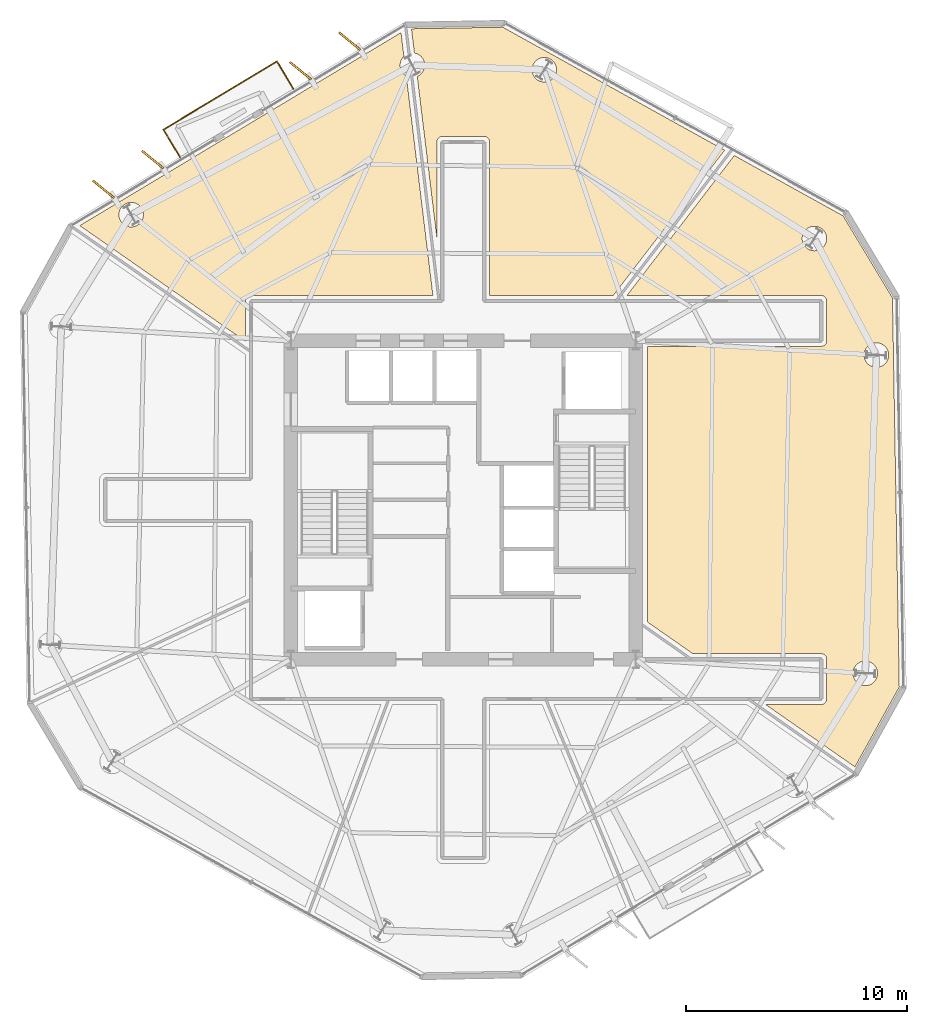
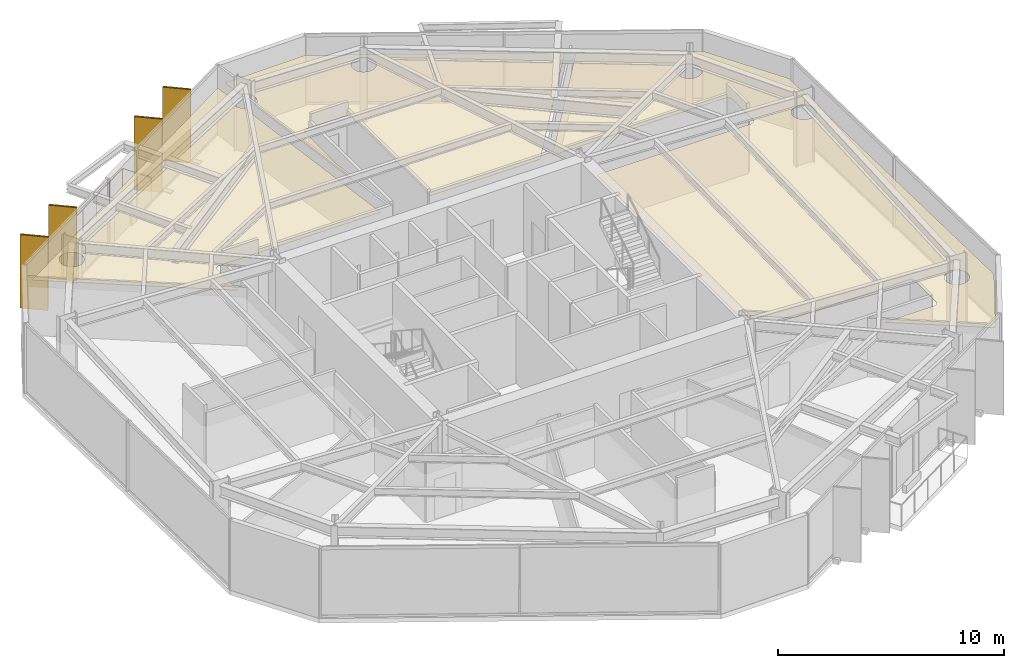
# One storey, part 11 of 11: 7 coverings, 4 shading devices, 1 railing.
"""IFC4 building model written with IfcOpenShell, lengths in metres."""

from ifc_helpers import new_model, si_unit, direction, frame, origin, origin_2d, place, context, subcontext, project, spatial, polyline, rectangle, circle, outline, extrude, material, layer, layer_set, type_object, element, save


model = new_model("IFC4")

# Units and contexts
model_context = context("Model", 3, precision=1e-05, world=origin(), true_north=direction((0.0, 1.0)))
body_context = subcontext(model_context, "Body", "Model", "MODEL_VIEW")
ifc_project = project(units=[si_unit("LENGTHUNIT", "METRE"), si_unit("AREAUNIT", "SQUARE_METRE"), si_unit("VOLUMEUNIT", "CUBIC_METRE"), si_unit("PLANEANGLEUNIT", "RADIAN"), si_unit("MASSUNIT", "GRAM", prefix="KILO")], contexts=[model_context])

# Site, building, storey
site_placement = place(None, origin())
site = spatial("IfcSite", under=ifc_project, at=site_placement, CompositionType="ELEMENT")
building_placement = place(site_placement, origin())
building = spatial("IfcBuilding", under=site, at=building_placement, Name="Kranzbogen Civic Tower", CompositionType="ELEMENT")
storey_placement = place(building_placement, frame((0.0, 0.0, 146.39990234375)))
storey = spatial("IfcBuildingStorey", under=building, at=storey_placement, Name="L35", CompositionType="ELEMENT", Elevation=146.39990234375)

# Coverings
ifc_material_1 = material(Name="Pale Anodised Aluminium", Category="aluminium")
ifc_layer_1 = layer(ifc_material_1, 0.02490234375, Name="Pale Anodised Aluminium")
ifc_layer_set_1 = layer_set([ifc_layer_1], Name="Pale Anodised Aluminium")
covering_type_1 = type_object("IfcCoveringType", Name="Anodised Aluminium Vertical Fin Cladding 25 mm", PredefinedType="CLADDING", material=ifc_layer_set_1)
for number, where, z_axis, x_axis, name in (
    (1, (19.864013671875, 45.758056640625, -0.139892578125), (0.0, 0.0, 1.0), (-0.774127549164, 0.633029649878, 0.0), "L35 vertical fin pale-metal cladding F2-1"),
    (2, (17.635986328125, 44.4189453125, -0.139892578125), (0.0, 0.0, 1.0), (-0.774127549164, 0.633029649878, 0.0), "L35 vertical fin pale-metal cladding F2-2"),
    (3, (10.949951171875, 40.402099609375, -0.139892578125), (0.0, 0.0, 1.0), (-0.774127549164, 0.633029649878, 0.0), "L35 vertical fin pale-metal cladding F2-5"),
    (4, (8.720947265625, 39.06201171875, -0.139892578125), (0.0, 0.0, 1.0), (-0.774127549164, 0.633029649878, 0.0), "L35 vertical fin pale-metal cladding F2-6"),
):
    element("IfcCovering", number, at=place(storey_placement, frame(where, z_axis=z_axis, x_axis=x_axis)), inside=storey, type_object=covering_type_1, Name=name, PredefinedType="CLADDING", context=body_context, shape_type="SweptSolid", body=[
        extrude(rectangle(XDim=1.25, YDim=0.10009765625, at=origin_2d()), origin(), (0.0, 0.0, 1.0), 3.9599609375),
    ])

# Shading devices
ifc_material_2 = material(Name="Anodised Bronze Aluminium", Category="aluminium")
shading_device_type = type_object("IfcShadingDeviceType", Name="Anodised Bronze Vertical Facade Fin 1250x80", PredefinedType="USERDEFINED", material=ifc_material_2)
for number, where, z_axis, x_axis, name in (
    (5, (19.864013671875, 45.758056640625, -0.139892578125), (0.0, 0.0, 1.0), (-0.774127549164, 0.633029649878, 0.0), "L35 vertical exterior shading fin F2-1"),
    (6, (17.635986328125, 44.4189453125, -0.139892578125), (0.0, 0.0, 1.0), (-0.774127549164, 0.633029649878, 0.0), "L35 vertical exterior shading fin F2-2"),
    (7, (10.949951171875, 40.402099609375, -0.139892578125), (0.0, 0.0, 1.0), (-0.774127549164, 0.633029649878, 0.0), "L35 vertical exterior shading fin F2-5"),
    (8, (8.720947265625, 39.06201171875, -0.139892578125), (0.0, 0.0, 1.0), (-0.774127549164, 0.633029649878, 0.0), "L35 vertical exterior shading fin F2-6"),
):
    element("IfcShadingDevice", number, at=place(storey_placement, frame(where, z_axis=z_axis, x_axis=x_axis)), inside=storey, type_object=shading_device_type, Name=name, ObjectType="FIN", PredefinedType="USERDEFINED", context=body_context, shape_type="SweptSolid", body=[
        extrude(rectangle(XDim=1.25, YDim=0.080078125, at=origin_2d()), origin(), (0.0, 0.0, 1.0), 3.9599609375),
    ])

# Railing
railing_type = type_object("IfcRailingType", Name="Cantilevered Balcony Glass and Bronze Balustrade 1200", PredefinedType="BALUSTRADE", material=ifc_material_2)
railing_placement = place(storey_placement, frame((17.322021484375, 43.60302734375, 0.0)))
element("IfcRailing", 9, at=railing_placement, inside=storey, type_object=railing_type, Name="L35 exterior terrace balustrade L35-TB2", PredefinedType="BALUSTRADE", context=body_context, shape_type="SweptSolid", body=[
    extrude(circle(Radius=0.02392578125, at=origin_2d()), frame((0.0, 0.0, 1.17578125), z_axis=(-0.515164064577, 0.85709158587, 0.0), x_axis=(-0.85709158587, -0.515164064577, 0.0)), (0.0, 0.0, 1.0), 1.4501953125),
    extrude(circle(Radius=0.02392578125, at=origin_2d()), frame((-0.7470703125, 1.242919921875, 1.17578125), z_axis=(-0.857198373359, -0.514986357791, 0.0), x_axis=(0.514986357791, -0.857198373359, 0.0)), (0.0, 0.0, 1.0), 5.999755859375),
    extrude(circle(Radius=0.02392578125, at=origin_2d()), frame((-5.89013671875, -1.846923828125, 1.17578125), z_axis=(0.515089737752, -0.857136256416, 0.0), x_axis=(0.857136256416, 0.515089737752, 0.0)), (0.0, 0.0, 1.0), 1.450439453125),
    extrude(circle(Radius=0.02099609375, at=origin_2d()), origin(), (0.0, 0.0, 1.0), 1.15185546875),
    extrude(circle(Radius=0.02099609375, at=origin_2d()), frame((-0.37353515625, 0.62158203125, 0.0)), (0.0, 0.0, 1.0), 1.15185546875),
    extrude(circle(Radius=0.02099609375, at=origin_2d()), frame((-0.7470703125, 1.242919921875, 0.0)), (0.0, 0.0, 1.0), 1.15185546875),
    extrude(circle(Radius=0.02099609375, at=origin_2d()), frame((-1.775634765625, 0.625, 0.0)), (0.0, 0.0, 1.0), 1.15185546875),
    extrude(circle(Radius=0.02099609375, at=origin_2d()), frame((-2.80419921875, 0.007080078125, 0.0)), (0.0, 0.0, 1.0), 1.15185546875),
    extrude(circle(Radius=0.02099609375, at=origin_2d()), frame((-3.8330078125, -0.611083984375, 0.0)), (0.0, 0.0, 1.0), 1.15185546875),
    extrude(circle(Radius=0.02099609375, at=origin_2d()), frame((-4.861572265625, -1.22900390625, 0.0)), (0.0, 0.0, 1.0), 1.15185546875),
    extrude(circle(Radius=0.02099609375, at=origin_2d()), frame((-5.89013671875, -1.846923828125, 0.0)), (0.0, 0.0, 1.0), 1.15185546875),
    extrude(circle(Radius=0.02099609375, at=origin_2d()), frame((-5.5166015625, -2.468505859375, 0.0)), (0.0, 0.0, 1.0), 1.15185546875),
    extrude(circle(Radius=0.02099609375, at=origin_2d()), frame((-5.14306640625, -3.090087890625, 0.0)), (0.0, 0.0, 1.0), 1.15185546875),
])

# Coverings
ifc_material_3 = material(Name="Perforated Acoustic Gypsum Ceiling")
ifc_layer_2 = layer(ifc_material_3, 0.02490234375, Name="Perforated Acoustic Gypsum Ceiling")
ifc_layer_set_2 = layer_set([ifc_layer_2], Name="Perforated Acoustic Gypsum Ceiling")
covering_type_2 = type_object("IfcCoveringType", Name="Perforated Acoustic Mineral Ceiling Tile 25 mm", PredefinedType="CEILING", material=ifc_layer_set_2)
covering_1_placement = place(storey_placement, frame((0.0, 0.0, 2.75)))
element("IfcCovering", 10, at=covering_1_placement, inside=storey, type_object=covering_type_2, Name="L35 Operations Security Control Room acoustic ceiling", PredefinedType="CEILING", context=body_context, shape_type="SweptSolid", body=[
    extrude(outline(polyline([(42.721923828125, 12.924072265625), (38.66796875, 15.7548828125), (41.199951171875, 15.7548828125), (41.208984375, 15.7548828125), (41.215087890625, 15.756103515625), (41.23291015625, 15.757080078125), (41.239013671875, 15.758056640625), (41.256103515625, 15.761962890625), (41.262939453125, 15.762939453125), (41.280029296875, 15.76806640625), (41.285888671875, 15.77001953125), (41.302001953125, 15.777099609375), (41.30810546875, 15.780029296875), (41.322998046875, 15.7880859375), (41.3291015625, 15.7919921875), (41.343017578125, 15.801025390625), (41.347900390625, 15.804931640625), (41.362060546875, 15.81591796875), (41.366943359375, 15.821044921875), (41.37890625, 15.8330078125), (41.384033203125, 15.837890625), (41.39501953125, 15.85205078125), (41.39892578125, 15.85693359375), (41.407958984375, 15.87109375), (41.412109375, 15.876953125), (41.419921875, 15.89208984375), (41.423095703125, 15.89794921875), (41.429931640625, 15.9140625), (41.431884765625, 15.919921875), (41.43701171875, 15.93701171875), (41.43798828125, 15.944091796875), (41.44189453125, 15.9609375), (41.443115234375, 15.967041015625), (41.444091796875, 15.985107421875), (41.445068359375, 15.990966796875), (41.445068359375, 16.0), (41.445068359375, 17.800048828125), (41.445068359375, 17.80908203125), (41.444091796875, 17.81494140625), (41.443115234375, 17.8330078125), (41.44189453125, 17.839111328125), (41.43798828125, 17.85595703125), (41.43701171875, 17.863037109375), (41.431884765625, 17.8798828125), (41.429931640625, 17.885986328125), (41.423095703125, 17.902099609375), (41.419921875, 17.907958984375), (41.412109375, 17.923095703125), (41.407958984375, 17.928955078125), (41.39892578125, 17.943115234375), (41.39501953125, 17.947998046875), (41.384033203125, 17.9619140625), (41.37890625, 17.967041015625), (41.366943359375, 17.97900390625), (41.362060546875, 17.98388671875), (41.347900390625, 17.9951171875), (41.343017578125, 17.9990234375), (41.3291015625, 18.008056640625), (41.322998046875, 18.011962890625), (41.30810546875, 18.02001953125), (41.302001953125, 18.02294921875), (41.285888671875, 18.030029296875), (41.280029296875, 18.031982421875), (41.262939453125, 18.037109375), (41.256103515625, 18.0380859375), (41.239013671875, 18.0419921875), (41.23291015625, 18.04296875), (41.215087890625, 18.0439453125), (41.208984375, 18.044921875), (41.199951171875, 18.044921875), (35.387939453125, 18.044921875), (33.344970703125, 19.471923828125), (33.344970703125, 31.955078125), (41.199951171875, 31.955078125), (41.208984375, 31.955078125), (41.215087890625, 31.9560546875), (41.23291015625, 31.95703125), (41.239013671875, 31.9580078125), (41.256103515625, 31.9619140625), (41.262939453125, 31.962890625), (41.280029296875, 31.968017578125), (41.285888671875, 31.969970703125), (41.302001953125, 31.97705078125), (41.30810546875, 31.97998046875), (41.322998046875, 31.988037109375), (41.3291015625, 31.991943359375), (41.343017578125, 32.0009765625), (41.347900390625, 32.0048828125), (41.362060546875, 32.01611328125), (41.366943359375, 32.02099609375), (41.37890625, 32.032958984375), (41.384033203125, 32.0380859375), (41.39501953125, 32.052001953125), (41.39892578125, 32.056884765625), (41.407958984375, 32.071044921875), (41.412109375, 32.076904296875), (41.419921875, 32.092041015625), (41.423095703125, 32.097900390625), (41.429931640625, 32.114013671875), (41.431884765625, 32.1201171875), (41.43701171875, 32.136962890625), (41.43798828125, 32.14404296875), (41.44189453125, 32.160888671875), (41.443115234375, 32.1669921875), (41.444091796875, 32.18505859375), (41.445068359375, 32.19091796875), (41.445068359375, 32.199951171875), (41.445068359375, 34.0), (41.445068359375, 34.009033203125), (41.444091796875, 34.014892578125), (41.443115234375, 34.032958984375), (41.44189453125, 34.0390625), (41.43798828125, 34.055908203125), (41.43701171875, 34.06298828125), (41.431884765625, 34.080078125), (41.429931640625, 34.0859375), (41.423095703125, 34.10205078125), (41.419921875, 34.10791015625), (41.412109375, 34.123046875), (41.407958984375, 34.12890625), (41.39892578125, 34.14306640625), (41.39501953125, 34.14794921875), (41.384033203125, 34.162109375), (41.37890625, 34.1669921875), (41.366943359375, 34.178955078125), (41.362060546875, 34.18408203125), (41.347900390625, 34.195068359375), (41.343017578125, 34.198974609375), (41.3291015625, 34.2080078125), (41.322998046875, 34.2119140625), (41.30810546875, 34.219970703125), (41.302001953125, 34.222900390625), (41.285888671875, 34.22998046875), (41.280029296875, 34.23193359375), (41.262939453125, 34.237060546875), (41.256103515625, 34.238037109375), (41.239013671875, 34.241943359375), (41.23291015625, 34.242919921875), (41.215087890625, 34.243896484375), (41.208984375, 34.2451171875), (41.199951171875, 34.2451171875), (32.39990234375, 34.2451171875), (37.261962890625, 40.583984375), (42.18994140625, 37.85205078125), (44.4189453125, 34.14404296875), (44.72607421875, 16.5380859375), (42.721923828125, 12.924072265625)]), holes=[polyline([(43.698974609375, 16.944091796875), (43.676025390625, 16.89501953125), (43.64794921875, 16.847900390625), (43.615966796875, 16.803955078125), (43.5791015625, 16.763916015625), (43.5390625, 16.72705078125), (43.4951171875, 16.695068359375), (43.447998046875, 16.6669921875), (43.39892578125, 16.64404296875), (43.347900390625, 16.6259765625), (43.294921875, 16.612060546875), (43.240966796875, 16.60400390625), (43.18701171875, 16.60205078125), (43.133056640625, 16.60400390625), (43.0791015625, 16.612060546875), (43.02587890625, 16.6259765625), (42.97509765625, 16.64404296875), (42.926025390625, 16.6669921875), (42.87890625, 16.695068359375), (42.8349609375, 16.72705078125), (42.794921875, 16.763916015625), (42.758056640625, 16.803955078125), (42.72607421875, 16.847900390625), (42.697998046875, 16.89501953125), (42.675048828125, 16.944091796875), (42.656982421875, 16.9951171875), (42.64306640625, 17.048095703125), (42.635009765625, 17.10205078125), (42.633056640625, 17.156005859375), (42.635009765625, 17.2099609375), (42.64306640625, 17.263916015625), (42.656982421875, 17.31689453125), (42.675048828125, 17.367919921875), (42.697998046875, 17.4169921875), (42.72607421875, 17.464111328125), (42.758056640625, 17.508056640625), (42.794921875, 17.548095703125), (42.8349609375, 17.5849609375), (42.87890625, 17.616943359375), (42.926025390625, 17.64501953125), (42.97509765625, 17.66796875), (43.02587890625, 17.68603515625), (43.0791015625, 17.699951171875), (43.133056640625, 17.7080078125), (43.18701171875, 17.7099609375), (43.240966796875, 17.7080078125), (43.294921875, 17.699951171875), (43.347900390625, 17.68603515625), (43.39892578125, 17.66796875), (43.447998046875, 17.64501953125), (43.4951171875, 17.616943359375), (43.5390625, 17.5849609375), (43.5791015625, 17.548095703125), (43.615966796875, 17.508056640625), (43.64794921875, 17.464111328125), (43.676025390625, 17.4169921875), (43.698974609375, 17.367919921875), (43.717041015625, 17.31689453125), (43.73095703125, 17.263916015625), (43.739013671875, 17.2099609375), (43.740966796875, 17.156005859375), (43.739013671875, 17.10205078125), (43.73095703125, 17.048095703125), (43.717041015625, 16.9951171875), (43.698974609375, 16.944091796875)]), polyline([(44.201904296875, 31.343994140625), (44.178955078125, 31.294921875), (44.15087890625, 31.248046875), (44.118896484375, 31.2041015625), (44.08203125, 31.1640625), (44.0419921875, 31.126953125), (43.998046875, 31.094970703125), (43.950927734375, 31.06689453125), (43.902099609375, 31.0439453125), (43.85107421875, 31.02587890625), (43.798095703125, 31.011962890625), (43.743896484375, 31.00390625), (43.68994140625, 31.001953125), (43.635986328125, 31.00390625), (43.58203125, 31.011962890625), (43.529052734375, 31.02587890625), (43.47802734375, 31.0439453125), (43.428955078125, 31.06689453125), (43.382080078125, 31.094970703125), (43.337890625, 31.126953125), (43.298095703125, 31.1640625), (43.260986328125, 31.2041015625), (43.22900390625, 31.248046875), (43.200927734375, 31.294921875), (43.177978515625, 31.343994140625), (43.159912109375, 31.39501953125), (43.14599609375, 31.447998046875), (43.137939453125, 31.501953125), (43.135986328125, 31.555908203125), (43.137939453125, 31.610107421875), (43.14599609375, 31.6640625), (43.159912109375, 31.717041015625), (43.177978515625, 31.76806640625), (43.200927734375, 31.81689453125), (43.22900390625, 31.864013671875), (43.260986328125, 31.907958984375), (43.298095703125, 31.947998046875), (43.337890625, 31.985107421875), (43.382080078125, 32.01708984375), (43.428955078125, 32.044921875), (43.47802734375, 32.068115234375), (43.529052734375, 32.0859375), (43.58203125, 32.10009765625), (43.635986328125, 32.10791015625), (43.68994140625, 32.110107421875), (43.743896484375, 32.10791015625), (43.798095703125, 32.10009765625), (43.85107421875, 32.0859375), (43.902099609375, 32.068115234375), (43.950927734375, 32.044921875), (43.998046875, 32.01708984375), (44.0419921875, 31.985107421875), (44.08203125, 31.947998046875), (44.118896484375, 31.907958984375), (44.15087890625, 31.864013671875), (44.178955078125, 31.81689453125), (44.201904296875, 31.76806640625), (44.219970703125, 31.717041015625), (44.23388671875, 31.6640625), (44.241943359375, 31.610107421875), (44.243896484375, 31.555908203125), (44.241943359375, 31.501953125), (44.23388671875, 31.447998046875), (44.219970703125, 31.39501953125), (44.201904296875, 31.343994140625)]), polyline([(41.39794921875, 36.616943359375), (41.375, 36.568115234375), (41.346923828125, 36.52099609375), (41.31494140625, 36.47705078125), (41.278076171875, 36.43701171875), (41.238037109375, 36.39990234375), (41.194091796875, 36.367919921875), (41.14697265625, 36.340087890625), (41.097900390625, 36.31689453125), (41.047119140625, 36.299072265625), (40.993896484375, 36.284912109375), (40.93994140625, 36.277099609375), (40.885986328125, 36.27490234375), (40.83203125, 36.277099609375), (40.778076171875, 36.284912109375), (40.72509765625, 36.299072265625), (40.674072265625, 36.31689453125), (40.625, 36.340087890625), (40.577880859375, 36.367919921875), (40.533935546875, 36.39990234375), (40.493896484375, 36.43701171875), (40.45703125, 36.47705078125), (40.425048828125, 36.52099609375), (40.39697265625, 36.568115234375), (40.3740234375, 36.616943359375), (40.35595703125, 36.66796875), (40.342041015625, 36.720947265625), (40.333984375, 36.77490234375), (40.33203125, 36.8291015625), (40.333984375, 36.883056640625), (40.342041015625, 36.93701171875), (40.35595703125, 36.989990234375), (40.3740234375, 37.041015625), (40.39697265625, 37.090087890625), (40.425048828125, 37.136962890625), (40.45703125, 37.180908203125), (40.493896484375, 37.220947265625), (40.533935546875, 37.258056640625), (40.577880859375, 37.2900390625), (40.625, 37.318115234375), (40.674072265625, 37.341064453125), (40.72509765625, 37.35888671875), (40.778076171875, 37.373046875), (40.83203125, 37.381103515625), (40.885986328125, 37.383056640625), (40.93994140625, 37.381103515625), (40.993896484375, 37.373046875), (41.047119140625, 37.35888671875), (41.097900390625, 37.341064453125), (41.14697265625, 37.318115234375), (41.194091796875, 37.2900390625), (41.238037109375, 37.258056640625), (41.278076171875, 37.220947265625), (41.31494140625, 37.180908203125), (41.346923828125, 37.136962890625), (41.375, 37.090087890625), (41.39794921875, 37.041015625), (41.416015625, 36.989990234375), (41.429931640625, 36.93701171875), (41.43798828125, 36.883056640625), (41.43994140625, 36.8291015625), (41.43798828125, 36.77490234375), (41.429931640625, 36.720947265625), (41.416015625, 36.66796875), (41.39794921875, 36.616943359375)])]), origin(), (0.0, 0.0, 1.0), 0.025146484375),
])
covering_2_placement = place(storey_placement, frame((0.0, 0.0, 2.75)))
element("IfcCovering", 11, at=covering_2_placement, inside=storey, type_object=covering_type_2, Name="L35 Central Mail Post Room acoustic ceiling", PredefinedType="CEILING", context=body_context, shape_type="SweptSolid", body=[
    extrude(outline(polyline([(22.9189453125, 44.1640625), (22.9599609375, 44.18310546875), (23.007080078125, 44.2109375), (23.051025390625, 44.242919921875), (23.091064453125, 44.280029296875), (23.1279296875, 44.320068359375), (23.159912109375, 44.364013671875), (23.18798828125, 44.410888671875), (23.2109375, 44.4599609375), (23.22900390625, 44.510986328125), (23.242919921875, 44.56396484375), (23.2509765625, 44.617919921875), (23.2529296875, 44.672119140625), (23.2509765625, 44.72607421875), (23.242919921875, 44.780029296875), (23.22900390625, 44.8330078125), (23.2109375, 44.884033203125), (23.18798828125, 44.93310546875), (23.159912109375, 44.97998046875), (23.1279296875, 45.02392578125), (23.091064453125, 45.06396484375), (23.051025390625, 45.10107421875), (23.007080078125, 45.133056640625), (22.9599609375, 45.160888671875), (22.910888671875, 45.18408203125), (22.860107421875, 45.201904296875), (22.806884765625, 45.216064453125), (22.791015625, 45.218017578125), (22.657958984375, 46.31689453125), (26.7900390625, 46.388916015625), (36.827880859375, 40.823974609375), (31.781982421875, 34.2451171875), (26.195068359375, 34.2451171875), (26.195068359375, 41.199951171875), (26.195068359375, 41.208984375), (26.194091796875, 41.215087890625), (26.193115234375, 41.23291015625), (26.19189453125, 41.239013671875), (26.18798828125, 41.256103515625), (26.18701171875, 41.262939453125), (26.181884765625, 41.280029296875), (26.179931640625, 41.285888671875), (26.173095703125, 41.302001953125), (26.169921875, 41.30810546875), (26.162109375, 41.322998046875), (26.157958984375, 41.3291015625), (26.14892578125, 41.343017578125), (26.14501953125, 41.347900390625), (26.134033203125, 41.362060546875), (26.12890625, 41.366943359375), (26.116943359375, 41.37890625), (26.112060546875, 41.384033203125), (26.097900390625, 41.39501953125), (26.093017578125, 41.39892578125), (26.0791015625, 41.407958984375), (26.072998046875, 41.412109375), (26.05810546875, 41.419921875), (26.052001953125, 41.423095703125), (26.035888671875, 41.429931640625), (26.030029296875, 41.431884765625), (26.012939453125, 41.43701171875), (26.006103515625, 41.43798828125), (25.989013671875, 41.44189453125), (25.98291015625, 41.443115234375), (25.965087890625, 41.444091796875), (25.958984375, 41.445068359375), (25.949951171875, 41.445068359375), (24.050048828125, 41.445068359375), (24.041015625, 41.445068359375), (24.034912109375, 41.444091796875), (24.01708984375, 41.443115234375), (24.010986328125, 41.44189453125), (23.993896484375, 41.43798828125), (23.987060546875, 41.43701171875), (23.969970703125, 41.431884765625), (23.964111328125, 41.429931640625), (23.947998046875, 41.423095703125), (23.94189453125, 41.419921875), (23.927001953125, 41.412109375), (23.9208984375, 41.407958984375), (23.906982421875, 41.39892578125), (23.902099609375, 41.39501953125), (23.887939453125, 41.384033203125), (23.883056640625, 41.37890625), (23.87109375, 41.366943359375), (23.865966796875, 41.362060546875), (23.85498046875, 41.347900390625), (23.85107421875, 41.343017578125), (23.842041015625, 41.3291015625), (23.837890625, 41.322998046875), (23.830078125, 41.30810546875), (23.826904296875, 41.302001953125), (23.820068359375, 41.285888671875), (23.818115234375, 41.280029296875), (23.81298828125, 41.262939453125), (23.81201171875, 41.256103515625), (23.80810546875, 41.239013671875), (23.806884765625, 41.23291015625), (23.805908203125, 41.215087890625), (23.804931640625, 41.208984375), (23.804931640625, 41.199951171875), (23.804931640625, 36.87109375), (22.9189453125, 44.1640625)]), holes=[polyline([(29.179931640625, 44.251953125), (29.156982421875, 44.202880859375), (29.12890625, 44.156005859375), (29.096923828125, 44.112060546875), (29.06005859375, 44.072021484375), (29.02001953125, 44.034912109375), (28.97607421875, 44.0029296875), (28.928955078125, 43.97509765625), (28.8798828125, 43.951904296875), (28.8291015625, 43.93408203125), (28.77587890625, 43.919921875), (28.721923828125, 43.912109375), (28.66796875, 43.909912109375), (28.614013671875, 43.912109375), (28.56005859375, 43.919921875), (28.507080078125, 43.93408203125), (28.4560546875, 43.951904296875), (28.406982421875, 43.97509765625), (28.360107421875, 44.0029296875), (28.31591796875, 44.034912109375), (28.27587890625, 44.072021484375), (28.239013671875, 44.112060546875), (28.20703125, 44.156005859375), (28.178955078125, 44.202880859375), (28.156005859375, 44.251953125), (28.137939453125, 44.302978515625), (28.1240234375, 44.35595703125), (28.115966796875, 44.409912109375), (28.114013671875, 44.464111328125), (28.115966796875, 44.51806640625), (28.1240234375, 44.572021484375), (28.137939453125, 44.625), (28.156005859375, 44.676025390625), (28.178955078125, 44.72509765625), (28.20703125, 44.77197265625), (28.239013671875, 44.81591796875), (28.27587890625, 44.85595703125), (28.31591796875, 44.89306640625), (28.360107421875, 44.925048828125), (28.406982421875, 44.952880859375), (28.4560546875, 44.97607421875), (28.507080078125, 44.993896484375), (28.56005859375, 45.008056640625), (28.614013671875, 45.01611328125), (28.66796875, 45.01806640625), (28.721923828125, 45.01611328125), (28.77587890625, 45.008056640625), (28.8291015625, 44.993896484375), (28.8798828125, 44.97607421875), (28.928955078125, 44.952880859375), (28.97607421875, 44.925048828125), (29.02001953125, 44.89306640625), (29.06005859375, 44.85595703125), (29.096923828125, 44.81591796875), (29.12890625, 44.77197265625), (29.156982421875, 44.72509765625), (29.179931640625, 44.676025390625), (29.197998046875, 44.625), (29.2119140625, 44.572021484375), (29.219970703125, 44.51806640625), (29.221923828125, 44.464111328125), (29.219970703125, 44.409912109375), (29.2119140625, 44.35595703125), (29.197998046875, 44.302978515625), (29.179931640625, 44.251953125)])]), origin(), (0.0, 0.0, 1.0), 0.025146484375),
])
covering_3_placement = place(storey_placement, frame((0.0, 0.0, 2.75)))
element("IfcCovering", 12, at=covering_3_placement, inside=storey, type_object=covering_type_2, Name="L35 Duty Crew Control Room acoustic ceiling", PredefinedType="CEILING", context=body_context, shape_type="SweptSolid", body=[
    extrude(outline(polyline([(22.31494140625, 45.072021484375), (22.306884765625, 45.06396484375), (22.27001953125, 45.02392578125), (22.238037109375, 44.97998046875), (22.2099609375, 44.93310546875), (22.18701171875, 44.884033203125), (22.1689453125, 44.8330078125), (22.155029296875, 44.780029296875), (22.14697265625, 44.72607421875), (22.14501953125, 44.672119140625), (22.14697265625, 44.617919921875), (22.155029296875, 44.56396484375), (22.1689453125, 44.510986328125), (22.18701171875, 44.4599609375), (22.2099609375, 44.410888671875), (22.238037109375, 44.364013671875), (22.27001953125, 44.320068359375), (22.306884765625, 44.280029296875), (22.346923828125, 44.242919921875), (22.39111328125, 44.2109375), (22.422119140625, 44.19189453125), (23.6298828125, 34.2451171875), (15.39990234375, 34.2451171875), (15.39111328125, 34.2451171875), (15.385009765625, 34.243896484375), (15.366943359375, 34.242919921875), (15.361083984375, 34.241943359375), (15.343994140625, 34.238037109375), (15.3369140625, 34.237060546875), (15.320068359375, 34.23193359375), (15.31396484375, 34.22998046875), (15.298095703125, 34.222900390625), (15.2919921875, 34.219970703125), (15.277099609375, 34.2119140625), (15.27099609375, 34.2080078125), (15.257080078125, 34.198974609375), (15.251953125, 34.195068359375), (15.238037109375, 34.18408203125), (15.23291015625, 34.178955078125), (15.220947265625, 34.1669921875), (15.216064453125, 34.162109375), (15.205078125, 34.14794921875), (15.200927734375, 34.14306640625), (15.19189453125, 34.12890625), (15.18798828125, 34.123046875), (15.179931640625, 34.10791015625), (15.177001953125, 34.10205078125), (15.169921875, 34.0859375), (15.16796875, 34.080078125), (15.1630859375, 34.06298828125), (15.162109375, 34.055908203125), (15.157958984375, 34.0390625), (15.156982421875, 34.032958984375), (15.156005859375, 34.014892578125), (15.155029296875, 34.009033203125), (15.155029296875, 34.0), (15.155029296875, 32.173095703125), (7.652099609375, 37.412109375), (22.18505859375, 46.14501953125), (22.31494140625, 45.072021484375)]), holes=[polyline([(10.489013671875, 37.696044921875), (10.466064453125, 37.64697265625), (10.43798828125, 37.60009765625), (10.406005859375, 37.555908203125), (10.368896484375, 37.51611328125), (10.3291015625, 37.47900390625), (10.284912109375, 37.447021484375), (10.238037109375, 37.4189453125), (10.18896484375, 37.39599609375), (10.137939453125, 37.3779296875), (10.0849609375, 37.364013671875), (10.031005859375, 37.35595703125), (9.97705078125, 37.35400390625), (9.923095703125, 37.35595703125), (9.868896484375, 37.364013671875), (9.81591796875, 37.3779296875), (9.764892578125, 37.39599609375), (9.716064453125, 37.4189453125), (9.6689453125, 37.447021484375), (9.625, 37.47900390625), (9.5849609375, 37.51611328125), (9.548095703125, 37.555908203125), (9.51611328125, 37.60009765625), (9.488037109375, 37.64697265625), (9.465087890625, 37.696044921875), (9.447021484375, 37.7470703125), (9.43310546875, 37.800048828125), (9.425048828125, 37.85400390625), (9.423095703125, 37.907958984375), (9.425048828125, 37.9619140625), (9.43310546875, 38.01611328125), (9.447021484375, 38.069091796875), (9.465087890625, 38.1201171875), (9.488037109375, 38.1689453125), (9.51611328125, 38.216064453125), (9.548095703125, 38.260009765625), (9.5849609375, 38.300048828125), (9.625, 38.3369140625), (9.6689453125, 38.368896484375), (9.716064453125, 38.39697265625), (9.764892578125, 38.419921875), (9.81591796875, 38.43798828125), (9.868896484375, 38.451904296875), (9.923095703125, 38.4599609375), (9.97705078125, 38.4619140625), (10.031005859375, 38.4599609375), (10.0849609375, 38.451904296875), (10.137939453125, 38.43798828125), (10.18896484375, 38.419921875), (10.238037109375, 38.39697265625), (10.284912109375, 38.368896484375), (10.3291015625, 38.3369140625), (10.368896484375, 38.300048828125), (10.406005859375, 38.260009765625), (10.43798828125, 38.216064453125), (10.466064453125, 38.1689453125), (10.489013671875, 38.1201171875), (10.507080078125, 38.069091796875), (10.52099609375, 38.01611328125), (10.529052734375, 37.9619140625), (10.531005859375, 37.907958984375), (10.529052734375, 37.85400390625), (10.52099609375, 37.800048828125), (10.507080078125, 37.7470703125), (10.489013671875, 37.696044921875)])]), origin(), (0.0, 0.0, 1.0), 0.025146484375),
])

save(model, "model.ifc")
